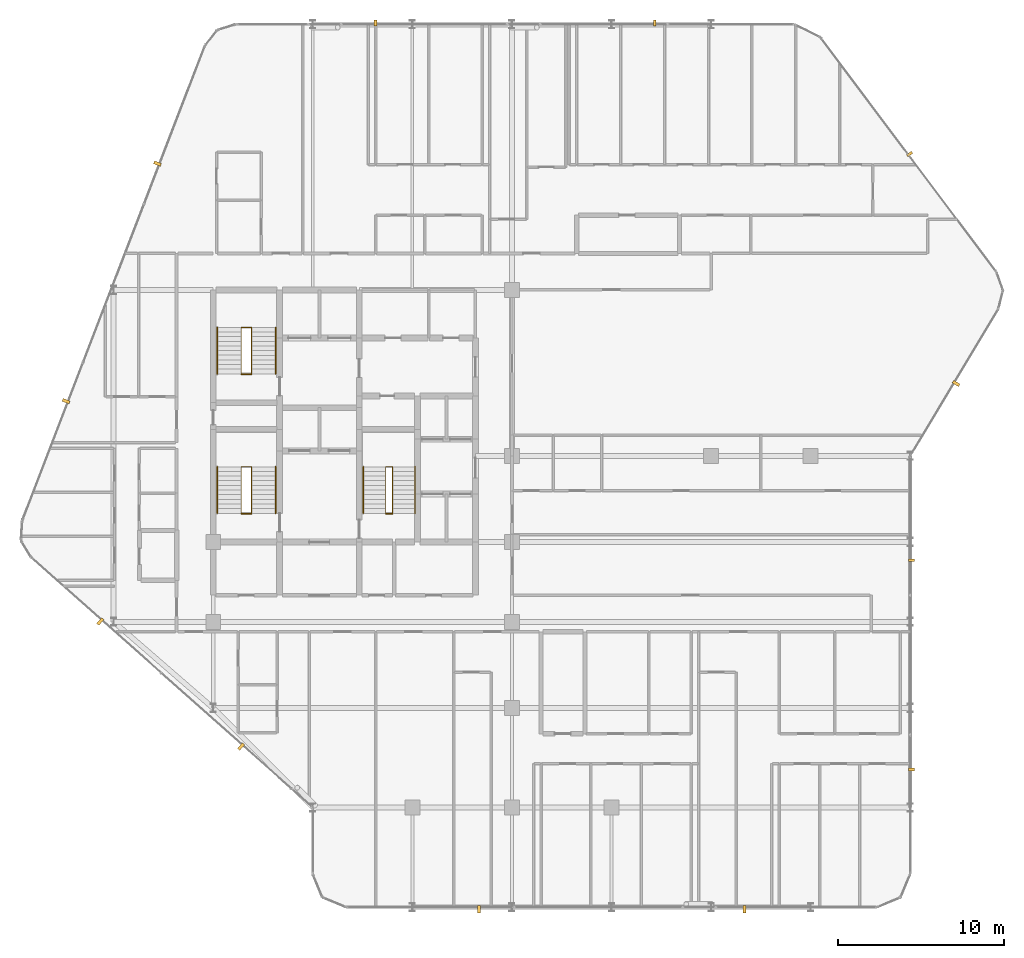
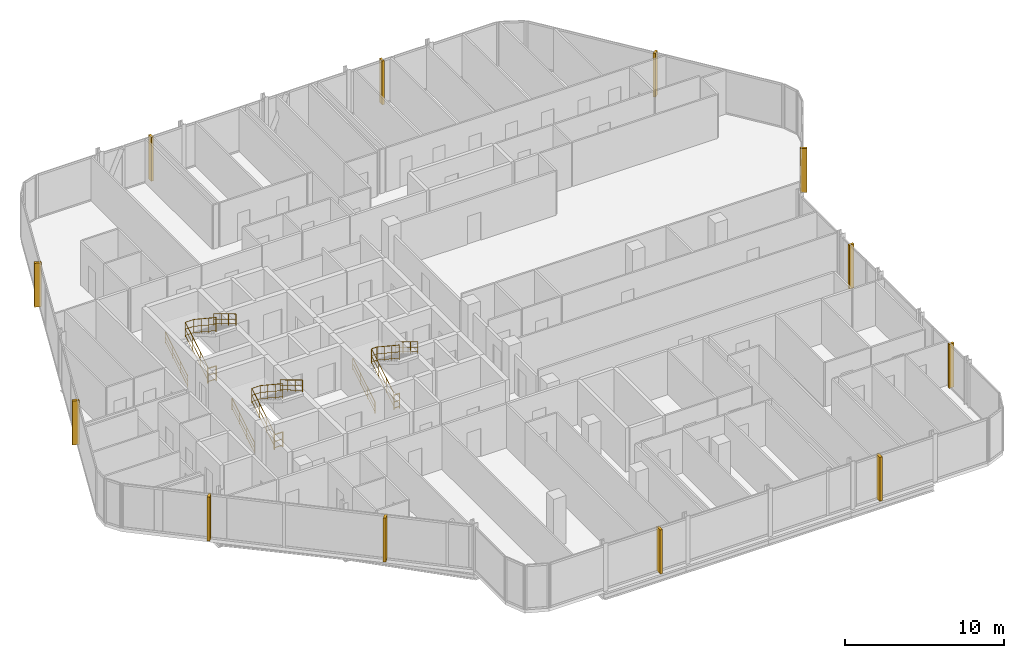
# One storey, part 31 of 31: 12 coverings, 12 railings.
"""IFC4 building model written with IfcOpenShell, lengths in metres."""

from ifc_helpers import new_model, si_unit, direction, frame, origin, origin_2d, place, context, subcontext, project, spatial, rectangle, circle, extrude, material, layer, layer_set, type_object, element, save


model = new_model("IFC4")

# Units and contexts
model_context = context("Model", 3, precision=1e-05, world=origin(), true_north=direction((0.0, 1.0)))
body_context = subcontext(model_context, "Body", "Model", "MODEL_VIEW")
ifc_project = project(units=[si_unit("LENGTHUNIT", "METRE"), si_unit("AREAUNIT", "SQUARE_METRE"), si_unit("VOLUMEUNIT", "CUBIC_METRE"), si_unit("PLANEANGLEUNIT", "RADIAN"), si_unit("MASSUNIT", "GRAM", prefix="KILO")], contexts=[model_context])

# Site, building, storey
site_placement = place(None, origin())
site = spatial("IfcSite", under=ifc_project, at=site_placement, CompositionType="ELEMENT")
building_placement = place(site_placement, origin())
building = spatial("IfcBuilding", under=site, at=building_placement, Name="Keshet Zoharim Tower", CompositionType="ELEMENT")
storey_placement = place(building_placement, frame((0.0, 0.0, 140.89990234375)))
storey = spatial("IfcBuildingStorey", under=building, at=storey_placement, Name="L34", CompositionType="ELEMENT", Elevation=140.89990234375)

# Coverings
ifc_material_1 = material(Name="Concrete C50/60 precast", Category="concrete")
covering_type_1 = type_object("IfcCoveringType", Name="FIN-SOL-360", PredefinedType="CLADDING", material=ifc_material_1)
for number, where, z_axis, x_axis, name in (
    (1, (24.780029296875, 53.97998046875, 0.0), (0.0, 0.0, 1.0), (1.0, 0.0, 0.0), "L34 Vertical Precast Solar Fin 07"),
    (2, (41.593994140625, 53.97998046875, 0.0), (0.0, 0.0, 1.0), (1.0, 0.0, 0.0), "L34 Vertical Precast Solar Fin 08"),
    (3, (56.9609375, 46.0859375, 0.0), (0.0, 0.0, 1.0), (0.600000000002, -0.799999999998, 0.0), "L34 Vertical Precast Solar Fin 09"),
    (4, (57.080078125, 21.60009765625, 0.0), (0.0, 0.0, 1.0), (0.0, -1.0, 0.0), "L34 Vertical Precast Solar Fin 11"),
    (5, (57.080078125, 9.0, 0.0), (0.0, 0.0, 1.0), (0.0, -1.0, 0.0), "L34 Vertical Precast Solar Fin 12"),
):
    element("IfcCovering", number, at=place(storey_placement, frame(where, z_axis=z_axis, x_axis=x_axis)), inside=storey, type_object=covering_type_1, Name=name, PredefinedType="CLADDING", context=body_context, shape_type="SweptSolid", body=[
        extrude(rectangle(XDim=0.159912109375, YDim=0.360107421875, at=origin_2d()), origin(), (0.0, 0.0, 1.0), 3.385009765625),
    ])
covering_type_2 = type_object("IfcCoveringType", Name="FIN-SOL-450", PredefinedType="CLADDING", material=ifc_material_1)
for number, where, z_axis, x_axis, name in (
    (6, (47.0, 0.574951171875, 0.0), (0.0, 0.0, 1.0), (-1.0, 0.0, 0.0), "L34 Vertical Precast Solar Fin 01"),
    (7, (31.0, 0.574951171875, 0.0), (0.0, 0.0, 1.0), (-1.0, 0.0, 0.0), "L34 Vertical Precast Solar Fin 02"),
    (8, (16.676025390625, 10.376953125, 0.0), (0.0, 0.0, 1.0), (-0.747409318679, 0.664363838836, 0.0), "L34 Vertical Precast Solar Fin 03"),
    (9, (8.193115234375, 17.9169921875, 0.0), (0.0, 0.0, 1.0), (-0.747409318679, 0.664363838836, 0.0), "L34 Vertical Precast Solar Fin 04"),
    (10, (6.133056640625, 31.194091796875, 0.0), (0.0, 0.0, 1.0), (0.358990003907, 0.933341404361, 0.0), "L34 Vertical Precast Solar Fin 05"),
    (11, (11.637939453125, 45.507080078125, 0.0), (0.0, 0.0, 1.0), (0.358990003907, 0.933341404361, 0.0), "L34 Vertical Precast Solar Fin 06"),
    (12, (59.760986328125, 32.259033203125, 0.0), (0.0, 0.0, 1.0), (-0.514481501576, -0.857501477862, 0.0), "L34 Vertical Precast Solar Fin 10"),
):
    element("IfcCovering", number, at=place(storey_placement, frame(where, z_axis=z_axis, x_axis=x_axis)), inside=storey, type_object=covering_type_2, Name=name, PredefinedType="CLADDING", context=body_context, shape_type="SweptSolid", body=[
        extrude(rectangle(XDim=0.179931640625, YDim=0.449951171875, at=origin_2d()), origin(), (0.0, 0.0, 1.0), 3.385009765625),
    ])

# Railings
ifc_material_2 = material(Name="Steel S355", Category="steel")
ifc_layer_1 = layer(ifc_material_2, 0.050048828125)
ifc_layer_set_1 = layer_set([ifc_layer_1], Name="Steel S355")
railing_type_1 = type_object("IfcRailingType", Name="RL-HND-092", PredefinedType="HANDRAIL", material=ifc_layer_set_1)
railing_1_placement = place(storey_placement, frame((15.239990234375, 24.43994140625, 0.168212890625)))
element("IfcRailing", 13, at=railing_1_placement, inside=storey, type_object=railing_type_1, Name="L34 ST-01 Flight 1 Wall Handrail", PredefinedType="HANDRAIL", context=body_context, shape_type="SweptSolid", body=[
    extrude(circle(Radius=0.02392578125, at=origin_2d()), frame((0.0, 0.0, 0.89599609375), z_axis=(0.0, 0.857242210791, 0.514913383045), x_axis=(-1.0, 0.0, 0.0)), (0.0, 0.0, 1.0), 3.266357421875),
    extrude(circle(Radius=0.01611328125, at=origin_2d()), frame((0.0, 0.0, 0.478271484375), z_axis=(0.0, 0.857242210791, 0.514913383045), x_axis=(-1.0, 0.0, 0.0)), (0.0, 0.0, 1.0), 3.266357421875),
    extrude(circle(Radius=0.01611328125, at=origin_2d()), frame((0.0, 0.0, 0.1201171875), z_axis=(0.0, 0.857242210791, 0.514913383045), x_axis=(-1.0, 0.0, 0.0)), (0.0, 0.0, 1.0), 3.266357421875),
    extrude(circle(Radius=0.02099609375, at=origin_2d()), origin(), (0.0, 0.0, 1.0), 0.871826171875),
    extrude(circle(Radius=0.02099609375, at=origin_2d()), frame((0.0, 0.933349609375, 0.560546875)), (0.0, 0.0, 1.0), 0.871826171875),
    extrude(circle(Radius=0.02099609375, at=origin_2d()), frame((0.0, 1.86669921875, 1.121337890625)), (0.0, 0.0, 1.0), 0.871826171875),
    extrude(circle(Radius=0.02099609375, at=origin_2d()), frame((0.0, 2.800048828125, 1.681884765625)), (0.0, 0.0, 1.0), 0.871826171875),
])
railing_2_placement = place(storey_placement, frame((18.760009765625, 27.239990234375, 2.018310546875)))
element("IfcRailing", 14, at=railing_2_placement, inside=storey, type_object=railing_type_1, Name="L34 ST-01 Flight 2 Wall Handrail", PredefinedType="HANDRAIL", context=body_context, shape_type="SweptSolid", body=[
    extrude(circle(Radius=0.02392578125, at=origin_2d()), frame((0.0, 0.0, 0.89599609375), z_axis=(0.0, -0.857242210791, 0.514913383045), x_axis=(1.0, 0.0, 0.0)), (0.0, 0.0, 1.0), 3.266357421875),
    extrude(circle(Radius=0.01611328125, at=origin_2d()), frame((0.0, 0.0, 0.478271484375), z_axis=(0.0, -0.857242210791, 0.514913383045), x_axis=(1.0, 0.0, 0.0)), (0.0, 0.0, 1.0), 3.266357421875),
    extrude(circle(Radius=0.01611328125, at=origin_2d()), frame((0.0, 0.0, 0.1201171875), z_axis=(0.0, -0.857242210791, 0.514913383045), x_axis=(1.0, 0.0, 0.0)), (0.0, 0.0, 1.0), 3.266357421875),
    extrude(circle(Radius=0.02099609375, at=origin_2d()), origin(), (0.0, 0.0, 1.0), 0.871826171875),
    extrude(circle(Radius=0.02099609375, at=origin_2d()), frame((0.0, -0.933349609375, 0.560546875)), (0.0, 0.0, 1.0), 0.871826171875),
    extrude(circle(Radius=0.02099609375, at=origin_2d()), frame((0.0, -1.86669921875, 1.121337890625)), (0.0, 0.0, 1.0), 0.871826171875),
    extrude(circle(Radius=0.02099609375, at=origin_2d()), frame((0.0, -2.800048828125, 1.681884765625)), (0.0, 0.0, 1.0), 0.871826171875),
])
railing_3_placement = place(storey_placement, frame((15.239990234375, 32.840087890625, 0.168212890625)))
element("IfcRailing", 15, at=railing_3_placement, inside=storey, type_object=railing_type_1, Name="L34 ST-02 Flight 1 Wall Handrail", PredefinedType="HANDRAIL", context=body_context, shape_type="SweptSolid", body=[
    extrude(circle(Radius=0.02392578125, at=origin_2d()), frame((0.0, 0.0, 0.89599609375), z_axis=(0.0, 0.857222391501, 0.514946377315), x_axis=(-1.0, 0.0, 0.0)), (0.0, 0.0, 1.0), 3.26611328125),
    extrude(circle(Radius=0.01611328125, at=origin_2d()), frame((0.0, 0.0, 0.478271484375), z_axis=(0.0, 0.857222391501, 0.514946377315), x_axis=(-1.0, 0.0, 0.0)), (0.0, 0.0, 1.0), 3.26611328125),
    extrude(circle(Radius=0.01611328125, at=origin_2d()), frame((0.0, 0.0, 0.1201171875), z_axis=(0.0, 0.857222391501, 0.514946377315), x_axis=(-1.0, 0.0, 0.0)), (0.0, 0.0, 1.0), 3.26611328125),
    extrude(circle(Radius=0.02099609375, at=origin_2d()), origin(), (0.0, 0.0, 1.0), 0.871826171875),
    extrude(circle(Radius=0.02099609375, at=origin_2d()), frame((0.0, 0.933349609375, 0.560546875)), (0.0, 0.0, 1.0), 0.871826171875),
    extrude(circle(Radius=0.02099609375, at=origin_2d()), frame((0.0, 1.866455078125, 1.121337890625)), (0.0, 0.0, 1.0), 0.871826171875),
    extrude(circle(Radius=0.02099609375, at=origin_2d()), frame((0.0, 2.7998046875, 1.681884765625)), (0.0, 0.0, 1.0), 0.871826171875),
])
railing_4_placement = place(storey_placement, frame((18.760009765625, 35.639892578125, 2.018310546875)))
element("IfcRailing", 16, at=railing_4_placement, inside=storey, type_object=railing_type_1, Name="L34 ST-02 Flight 2 Wall Handrail", PredefinedType="HANDRAIL", context=body_context, shape_type="SweptSolid", body=[
    extrude(circle(Radius=0.02392578125, at=origin_2d()), frame((0.0, 0.0, 0.89599609375), z_axis=(0.0, -0.857222391501, 0.514946377315), x_axis=(1.0, 0.0, 0.0)), (0.0, 0.0, 1.0), 3.26611328125),
    extrude(circle(Radius=0.01611328125, at=origin_2d()), frame((0.0, 0.0, 0.478271484375), z_axis=(0.0, -0.857222391501, 0.514946377315), x_axis=(1.0, 0.0, 0.0)), (0.0, 0.0, 1.0), 3.26611328125),
    extrude(circle(Radius=0.01611328125, at=origin_2d()), frame((0.0, 0.0, 0.1201171875), z_axis=(0.0, -0.857222391501, 0.514946377315), x_axis=(1.0, 0.0, 0.0)), (0.0, 0.0, 1.0), 3.26611328125),
    extrude(circle(Radius=0.02099609375, at=origin_2d()), origin(), (0.0, 0.0, 1.0), 0.871826171875),
    extrude(circle(Radius=0.02099609375, at=origin_2d()), frame((0.0, -0.933349609375, 0.560546875)), (0.0, 0.0, 1.0), 0.871826171875),
    extrude(circle(Radius=0.02099609375, at=origin_2d()), frame((0.0, -1.866455078125, 1.121337890625)), (0.0, 0.0, 1.0), 0.871826171875),
    extrude(circle(Radius=0.02099609375, at=origin_2d()), frame((0.0, -2.7998046875, 1.681884765625)), (0.0, 0.0, 1.0), 0.871826171875),
])
railing_5_placement = place(storey_placement, frame((24.0400390625, 24.43994140625, 0.168212890625)))
element("IfcRailing", 17, at=railing_5_placement, inside=storey, type_object=railing_type_1, Name="L34 ST-03 Flight 1 Wall Handrail", PredefinedType="HANDRAIL", context=body_context, shape_type="SweptSolid", body=[
    extrude(circle(Radius=0.02392578125, at=origin_2d()), frame((0.0, 0.0, 0.89599609375), z_axis=(0.0, 0.857242210791, 0.514913383045), x_axis=(-1.0, 0.0, 0.0)), (0.0, 0.0, 1.0), 3.266357421875),
    extrude(circle(Radius=0.01611328125, at=origin_2d()), frame((0.0, 0.0, 0.478271484375), z_axis=(0.0, 0.857242210791, 0.514913383045), x_axis=(-1.0, 0.0, 0.0)), (0.0, 0.0, 1.0), 3.266357421875),
    extrude(circle(Radius=0.01611328125, at=origin_2d()), frame((0.0, 0.0, 0.1201171875), z_axis=(0.0, 0.857242210791, 0.514913383045), x_axis=(-1.0, 0.0, 0.0)), (0.0, 0.0, 1.0), 3.266357421875),
    extrude(circle(Radius=0.02099609375, at=origin_2d()), origin(), (0.0, 0.0, 1.0), 0.871826171875),
    extrude(circle(Radius=0.02099609375, at=origin_2d()), frame((0.0, 0.933349609375, 0.560546875)), (0.0, 0.0, 1.0), 0.871826171875),
    extrude(circle(Radius=0.02099609375, at=origin_2d()), frame((0.0, 1.86669921875, 1.121337890625)), (0.0, 0.0, 1.0), 0.871826171875),
    extrude(circle(Radius=0.02099609375, at=origin_2d()), frame((0.0, 2.800048828125, 1.681884765625)), (0.0, 0.0, 1.0), 0.871826171875),
])
railing_6_placement = place(storey_placement, frame((27.159912109375, 27.239990234375, 2.018310546875)))
element("IfcRailing", 18, at=railing_6_placement, inside=storey, type_object=railing_type_1, Name="L34 ST-03 Flight 2 Wall Handrail", PredefinedType="HANDRAIL", context=body_context, shape_type="SweptSolid", body=[
    extrude(circle(Radius=0.02392578125, at=origin_2d()), frame((0.0, 0.0, 0.89599609375), z_axis=(0.0, -0.857242210791, 0.514913383045), x_axis=(1.0, 0.0, 0.0)), (0.0, 0.0, 1.0), 3.266357421875),
    extrude(circle(Radius=0.01611328125, at=origin_2d()), frame((0.0, 0.0, 0.478271484375), z_axis=(0.0, -0.857242210791, 0.514913383045), x_axis=(1.0, 0.0, 0.0)), (0.0, 0.0, 1.0), 3.266357421875),
    extrude(circle(Radius=0.01611328125, at=origin_2d()), frame((0.0, 0.0, 0.1201171875), z_axis=(0.0, -0.857242210791, 0.514913383045), x_axis=(1.0, 0.0, 0.0)), (0.0, 0.0, 1.0), 3.266357421875),
    extrude(circle(Radius=0.02099609375, at=origin_2d()), origin(), (0.0, 0.0, 1.0), 0.871826171875),
    extrude(circle(Radius=0.02099609375, at=origin_2d()), frame((0.0, -0.933349609375, 0.560546875)), (0.0, 0.0, 1.0), 0.871826171875),
    extrude(circle(Radius=0.02099609375, at=origin_2d()), frame((0.0, -1.86669921875, 1.121337890625)), (0.0, 0.0, 1.0), 0.871826171875),
    extrude(circle(Radius=0.02099609375, at=origin_2d()), frame((0.0, -2.800048828125, 1.681884765625)), (0.0, 0.0, 1.0), 0.871826171875),
])
ifc_layer_2 = layer(ifc_material_2, 0.06005859375)
ifc_layer_set_2 = layer_set([ifc_layer_2], Name="Steel S355")
railing_type_2 = type_object("IfcRailingType", Name="RL-STG-115", PredefinedType="GUARDRAIL", material=ifc_layer_set_2)
railing_7_placement = place(storey_placement, frame((16.68994140625, 24.43994140625, 0.168212890625)))
element("IfcRailing", 19, at=railing_7_placement, inside=storey, type_object=railing_type_2, Name="L34 ST-01 Inner Well Guardrail", PredefinedType="GUARDRAIL", context=body_context, shape_type="SweptSolid", body=[
    extrude(circle(Radius=0.02392578125, at=origin_2d()), frame((0.0, 0.0, 1.1259765625), z_axis=(0.0, 0.857242210791, 0.514913383045), x_axis=(-1.0, 0.0, 0.0)), (0.0, 0.0, 1.0), 3.266357421875),
    extrude(circle(Radius=0.01611328125, at=origin_2d()), frame((0.0, 0.0, 0.597900390625), z_axis=(0.0, 0.857242210791, 0.514913383045), x_axis=(-1.0, 0.0, 0.0)), (0.0, 0.0, 1.0), 3.266357421875),
    extrude(circle(Radius=0.01611328125, at=origin_2d()), frame((0.0, 0.0, 0.1201171875), z_axis=(0.0, 0.857242210791, 0.514913383045), x_axis=(-1.0, 0.0, 0.0)), (0.0, 0.0, 1.0), 3.266357421875),
    extrude(circle(Radius=0.02392578125, at=origin_2d()), frame((0.0, 2.800048828125, 2.8076171875), z_axis=(1.0, 0.0, 0.0), x_axis=(0.0, 1.0, 0.0)), (0.0, 0.0, 1.0), 0.6201171875),
    extrude(circle(Radius=0.01611328125, at=origin_2d()), frame((0.0, 2.800048828125, 2.27978515625), z_axis=(1.0, 0.0, 0.0), x_axis=(0.0, 1.0, 0.0)), (0.0, 0.0, 1.0), 0.6201171875),
    extrude(circle(Radius=0.01611328125, at=origin_2d()), frame((0.0, 2.800048828125, 1.802001953125), z_axis=(1.0, 0.0, 0.0), x_axis=(0.0, 1.0, 0.0)), (0.0, 0.0, 1.0), 0.6201171875),
    extrude(circle(Radius=0.02392578125, at=origin_2d()), frame((0.6201171875, 2.800048828125, 2.8076171875), z_axis=(0.0, -0.834326358476, 0.551270829586), x_axis=(1.0, 0.0, 0.0)), (0.0, 0.0, 1.0), 3.35595703125),
    extrude(circle(Radius=0.01611328125, at=origin_2d()), frame((0.6201171875, 2.800048828125, 2.27978515625), z_axis=(0.0, -0.834326358476, 0.551270829586), x_axis=(1.0, 0.0, 0.0)), (0.0, 0.0, 1.0), 3.35595703125),
    extrude(circle(Radius=0.01611328125, at=origin_2d()), frame((0.6201171875, 2.800048828125, 1.802001953125), z_axis=(0.0, -0.834326358476, 0.551270829586), x_axis=(1.0, 0.0, 0.0)), (0.0, 0.0, 1.0), 3.35595703125),
    extrude(circle(Radius=0.02099609375, at=origin_2d()), origin(), (0.0, 0.0, 1.0), 1.101806640625),
    extrude(circle(Radius=0.02099609375, at=origin_2d()), frame((0.0, 0.933349609375, 0.560546875)), (0.0, 0.0, 1.0), 1.101806640625),
    extrude(circle(Radius=0.02099609375, at=origin_2d()), frame((0.0, 1.86669921875, 1.121337890625)), (0.0, 0.0, 1.0), 1.101806640625),
    extrude(circle(Radius=0.02099609375, at=origin_2d()), frame((0.0, 2.800048828125, 1.681884765625)), (0.0, 0.0, 1.0), 1.101806640625),
    extrude(circle(Radius=0.02099609375, at=origin_2d()), frame((0.6201171875, 2.800048828125, 1.681884765625)), (0.0, 0.0, 1.0), 1.101806640625),
    extrude(circle(Radius=0.02099609375, at=origin_2d()), frame((0.6201171875, 1.86669921875, 2.298583984375)), (0.0, 0.0, 1.0), 1.101806640625),
    extrude(circle(Radius=0.02099609375, at=origin_2d()), frame((0.6201171875, 0.933349609375, 2.915283203125)), (0.0, 0.0, 1.0), 1.101806640625),
    extrude(circle(Radius=0.02099609375, at=origin_2d()), frame((0.6201171875, 0.0, 3.531982421875)), (0.0, 0.0, 1.0), 1.101806640625),
])
railing_8_placement = place(storey_placement, frame((16.68994140625, 24.409912109375, 0.0)))
element("IfcRailing", 20, at=railing_8_placement, inside=storey, type_object=railing_type_2, Name="L34 ST-01 Stairwell Floor Guardrail", PredefinedType="GUARDRAIL", context=body_context, shape_type="SweptSolid", body=[
    extrude(circle(Radius=0.02392578125, at=origin_2d()), frame((0.0, 0.0, 1.1259765625), z_axis=(1.0, 0.0, 0.0), x_axis=(0.0, 1.0, 0.0)), (0.0, 0.0, 1.0), 0.6201171875),
    extrude(circle(Radius=0.01611328125, at=origin_2d()), frame((0.0, 0.0, 0.597900390625), z_axis=(1.0, 0.0, 0.0), x_axis=(0.0, 1.0, 0.0)), (0.0, 0.0, 1.0), 0.6201171875),
    extrude(circle(Radius=0.01611328125, at=origin_2d()), frame((0.0, 0.0, 0.1201171875), z_axis=(1.0, 0.0, 0.0), x_axis=(0.0, 1.0, 0.0)), (0.0, 0.0, 1.0), 0.6201171875),
    extrude(circle(Radius=0.02099609375, at=origin_2d()), origin(), (0.0, 0.0, 1.0), 1.101806640625),
    extrude(circle(Radius=0.02099609375, at=origin_2d()), frame((0.6201171875, 0.0, 0.0)), (0.0, 0.0, 1.0), 1.101806640625),
])
railing_9_placement = place(storey_placement, frame((16.68994140625, 32.840087890625, 0.168212890625)))
element("IfcRailing", 21, at=railing_9_placement, inside=storey, type_object=railing_type_2, Name="L34 ST-02 Inner Well Guardrail", PredefinedType="GUARDRAIL", context=body_context, shape_type="SweptSolid", body=[
    extrude(circle(Radius=0.02392578125, at=origin_2d()), frame((0.0, 0.0, 1.1259765625), z_axis=(0.0, 0.857222391501, 0.514946377315), x_axis=(-1.0, 0.0, 0.0)), (0.0, 0.0, 1.0), 3.26611328125),
    extrude(circle(Radius=0.01611328125, at=origin_2d()), frame((0.0, 0.0, 0.597900390625), z_axis=(0.0, 0.857222391501, 0.514946377315), x_axis=(-1.0, 0.0, 0.0)), (0.0, 0.0, 1.0), 3.26611328125),
    extrude(circle(Radius=0.01611328125, at=origin_2d()), frame((0.0, 0.0, 0.1201171875), z_axis=(0.0, 0.857222391501, 0.514946377315), x_axis=(-1.0, 0.0, 0.0)), (0.0, 0.0, 1.0), 3.26611328125),
    extrude(circle(Radius=0.02392578125, at=origin_2d()), frame((0.0, 2.7998046875, 2.8076171875), z_axis=(1.0, 0.0, 0.0), x_axis=(0.0, 1.0, 0.0)), (0.0, 0.0, 1.0), 0.6201171875),
    extrude(circle(Radius=0.01611328125, at=origin_2d()), frame((0.0, 2.7998046875, 2.27978515625), z_axis=(1.0, 0.0, 0.0), x_axis=(0.0, 1.0, 0.0)), (0.0, 0.0, 1.0), 0.6201171875),
    extrude(circle(Radius=0.01611328125, at=origin_2d()), frame((0.0, 2.7998046875, 1.802001953125), z_axis=(1.0, 0.0, 0.0), x_axis=(0.0, 1.0, 0.0)), (0.0, 0.0, 1.0), 0.6201171875),
    extrude(circle(Radius=0.02392578125, at=origin_2d()), frame((0.6201171875, 2.7998046875, 2.8076171875), z_axis=(0.0, -0.834304248922, 0.551304290053), x_axis=(1.0, 0.0, 0.0)), (0.0, 0.0, 1.0), 3.35595703125),
    extrude(circle(Radius=0.01611328125, at=origin_2d()), frame((0.6201171875, 2.7998046875, 2.27978515625), z_axis=(0.0, -0.834304248922, 0.551304290053), x_axis=(1.0, 0.0, 0.0)), (0.0, 0.0, 1.0), 3.35595703125),
    extrude(circle(Radius=0.01611328125, at=origin_2d()), frame((0.6201171875, 2.7998046875, 1.802001953125), z_axis=(0.0, -0.834304248922, 0.551304290053), x_axis=(1.0, 0.0, 0.0)), (0.0, 0.0, 1.0), 3.35595703125),
    extrude(circle(Radius=0.02099609375, at=origin_2d()), origin(), (0.0, 0.0, 1.0), 1.101806640625),
    extrude(circle(Radius=0.02099609375, at=origin_2d()), frame((0.0, 0.933349609375, 0.560546875)), (0.0, 0.0, 1.0), 1.101806640625),
    extrude(circle(Radius=0.02099609375, at=origin_2d()), frame((0.0, 1.866455078125, 1.121337890625)), (0.0, 0.0, 1.0), 1.101806640625),
    extrude(circle(Radius=0.02099609375, at=origin_2d()), frame((0.0, 2.7998046875, 1.681884765625)), (0.0, 0.0, 1.0), 1.101806640625),
    extrude(circle(Radius=0.02099609375, at=origin_2d()), frame((0.6201171875, 2.7998046875, 1.681884765625)), (0.0, 0.0, 1.0), 1.101806640625),
    extrude(circle(Radius=0.02099609375, at=origin_2d()), frame((0.6201171875, 1.866455078125, 2.298583984375)), (0.0, 0.0, 1.0), 1.101806640625),
    extrude(circle(Radius=0.02099609375, at=origin_2d()), frame((0.6201171875, 0.933349609375, 2.915283203125)), (0.0, 0.0, 1.0), 1.101806640625),
    extrude(circle(Radius=0.02099609375, at=origin_2d()), frame((0.6201171875, 0.0, 3.531982421875)), (0.0, 0.0, 1.0), 1.101806640625),
])
railing_10_placement = place(storey_placement, frame((16.68994140625, 32.81005859375, 0.0)))
element("IfcRailing", 22, at=railing_10_placement, inside=storey, type_object=railing_type_2, Name="L34 ST-02 Stairwell Floor Guardrail", PredefinedType="GUARDRAIL", context=body_context, shape_type="SweptSolid", body=[
    extrude(circle(Radius=0.02392578125, at=origin_2d()), frame((0.0, 0.0, 1.1259765625), z_axis=(1.0, 0.0, 0.0), x_axis=(0.0, 1.0, 0.0)), (0.0, 0.0, 1.0), 0.6201171875),
    extrude(circle(Radius=0.01611328125, at=origin_2d()), frame((0.0, 0.0, 0.597900390625), z_axis=(1.0, 0.0, 0.0), x_axis=(0.0, 1.0, 0.0)), (0.0, 0.0, 1.0), 0.6201171875),
    extrude(circle(Radius=0.01611328125, at=origin_2d()), frame((0.0, 0.0, 0.1201171875), z_axis=(1.0, 0.0, 0.0), x_axis=(0.0, 1.0, 0.0)), (0.0, 0.0, 1.0), 0.6201171875),
    extrude(circle(Radius=0.02099609375, at=origin_2d()), origin(), (0.0, 0.0, 1.0), 1.101806640625),
    extrude(circle(Radius=0.02099609375, at=origin_2d()), frame((0.6201171875, 0.0, 0.0)), (0.0, 0.0, 1.0), 1.101806640625),
])
railing_11_placement = place(storey_placement, frame((25.39990234375, 24.43994140625, 0.168212890625)))
element("IfcRailing", 23, at=railing_11_placement, inside=storey, type_object=railing_type_2, Name="L34 ST-03 Inner Well Guardrail", PredefinedType="GUARDRAIL", context=body_context, shape_type="SweptSolid", body=[
    extrude(circle(Radius=0.02392578125, at=origin_2d()), frame((0.0, 0.0, 1.1259765625), z_axis=(0.0, 0.857242210791, 0.514913383045), x_axis=(-1.0, 0.0, 0.0)), (0.0, 0.0, 1.0), 3.266357421875),
    extrude(circle(Radius=0.01611328125, at=origin_2d()), frame((0.0, 0.0, 0.597900390625), z_axis=(0.0, 0.857242210791, 0.514913383045), x_axis=(-1.0, 0.0, 0.0)), (0.0, 0.0, 1.0), 3.266357421875),
    extrude(circle(Radius=0.01611328125, at=origin_2d()), frame((0.0, 0.0, 0.1201171875), z_axis=(0.0, 0.857242210791, 0.514913383045), x_axis=(-1.0, 0.0, 0.0)), (0.0, 0.0, 1.0), 3.266357421875),
    extrude(circle(Radius=0.02392578125, at=origin_2d()), frame((0.0, 2.800048828125, 2.8076171875), z_axis=(1.0, 0.0, 0.0), x_axis=(0.0, 1.0, 0.0)), (0.0, 0.0, 1.0), 0.400146484375),
    extrude(circle(Radius=0.01611328125, at=origin_2d()), frame((0.0, 2.800048828125, 2.27978515625), z_axis=(1.0, 0.0, 0.0), x_axis=(0.0, 1.0, 0.0)), (0.0, 0.0, 1.0), 0.400146484375),
    extrude(circle(Radius=0.01611328125, at=origin_2d()), frame((0.0, 2.800048828125, 1.802001953125), z_axis=(1.0, 0.0, 0.0), x_axis=(0.0, 1.0, 0.0)), (0.0, 0.0, 1.0), 0.400146484375),
    extrude(circle(Radius=0.02392578125, at=origin_2d()), frame((0.400146484375, 2.800048828125, 2.8076171875), z_axis=(0.0, -0.834326358476, 0.551270829586), x_axis=(1.0, 0.0, 0.0)), (0.0, 0.0, 1.0), 3.35595703125),
    extrude(circle(Radius=0.01611328125, at=origin_2d()), frame((0.400146484375, 2.800048828125, 2.27978515625), z_axis=(0.0, -0.834326358476, 0.551270829586), x_axis=(1.0, 0.0, 0.0)), (0.0, 0.0, 1.0), 3.35595703125),
    extrude(circle(Radius=0.01611328125, at=origin_2d()), frame((0.400146484375, 2.800048828125, 1.802001953125), z_axis=(0.0, -0.834326358476, 0.551270829586), x_axis=(1.0, 0.0, 0.0)), (0.0, 0.0, 1.0), 3.35595703125),
    extrude(circle(Radius=0.02099609375, at=origin_2d()), origin(), (0.0, 0.0, 1.0), 1.101806640625),
    extrude(circle(Radius=0.02099609375, at=origin_2d()), frame((0.0, 0.933349609375, 0.560546875)), (0.0, 0.0, 1.0), 1.101806640625),
    extrude(circle(Radius=0.02099609375, at=origin_2d()), frame((0.0, 1.86669921875, 1.121337890625)), (0.0, 0.0, 1.0), 1.101806640625),
    extrude(circle(Radius=0.02099609375, at=origin_2d()), frame((0.0, 2.800048828125, 1.681884765625)), (0.0, 0.0, 1.0), 1.101806640625),
    extrude(circle(Radius=0.02099609375, at=origin_2d()), frame((0.400146484375, 2.800048828125, 1.681884765625)), (0.0, 0.0, 1.0), 1.101806640625),
    extrude(circle(Radius=0.02099609375, at=origin_2d()), frame((0.400146484375, 1.86669921875, 2.298583984375)), (0.0, 0.0, 1.0), 1.101806640625),
    extrude(circle(Radius=0.02099609375, at=origin_2d()), frame((0.400146484375, 0.933349609375, 2.915283203125)), (0.0, 0.0, 1.0), 1.101806640625),
    extrude(circle(Radius=0.02099609375, at=origin_2d()), frame((0.400146484375, 0.0, 3.531982421875)), (0.0, 0.0, 1.0), 1.101806640625),
])
railing_12_placement = place(storey_placement, frame((25.39990234375, 24.409912109375, 0.0)))
element("IfcRailing", 24, at=railing_12_placement, inside=storey, type_object=railing_type_2, Name="L34 ST-03 Stairwell Floor Guardrail", PredefinedType="GUARDRAIL", context=body_context, shape_type="SweptSolid", body=[
    extrude(circle(Radius=0.02392578125, at=origin_2d()), frame((0.0, 0.0, 1.1259765625), z_axis=(1.0, 0.0, 0.0), x_axis=(0.0, 1.0, 0.0)), (0.0, 0.0, 1.0), 0.400146484375),
    extrude(circle(Radius=0.01611328125, at=origin_2d()), frame((0.0, 0.0, 0.597900390625), z_axis=(1.0, 0.0, 0.0), x_axis=(0.0, 1.0, 0.0)), (0.0, 0.0, 1.0), 0.400146484375),
    extrude(circle(Radius=0.01611328125, at=origin_2d()), frame((0.0, 0.0, 0.1201171875), z_axis=(1.0, 0.0, 0.0), x_axis=(0.0, 1.0, 0.0)), (0.0, 0.0, 1.0), 0.400146484375),
    extrude(circle(Radius=0.02099609375, at=origin_2d()), origin(), (0.0, 0.0, 1.0), 1.101806640625),
    extrude(circle(Radius=0.02099609375, at=origin_2d()), frame((0.400146484375, 0.0, 0.0)), (0.0, 0.0, 1.0), 1.101806640625),
])

save(model, "model.ifc")
